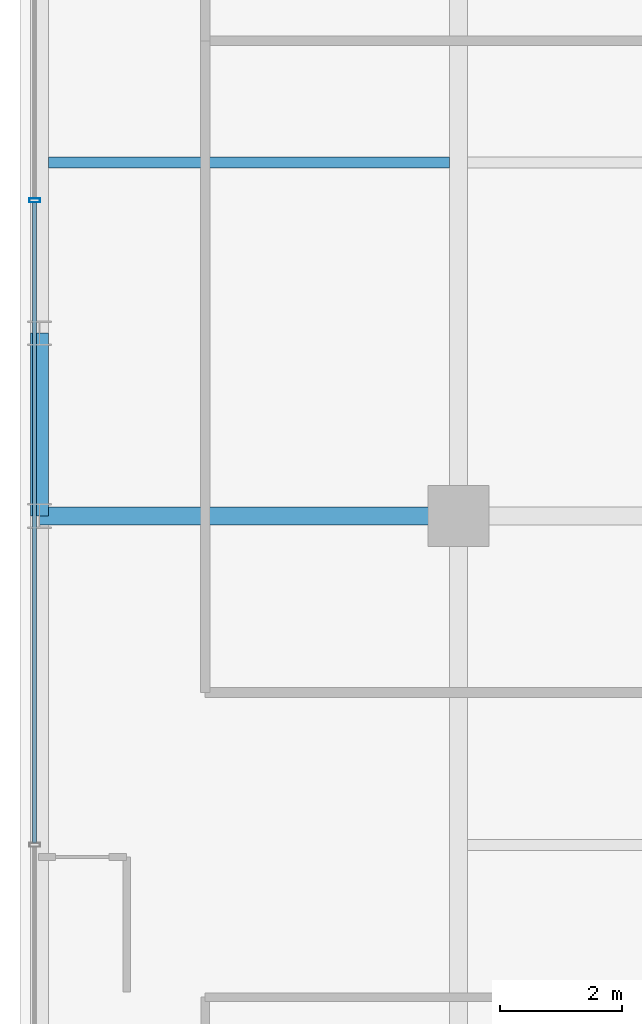
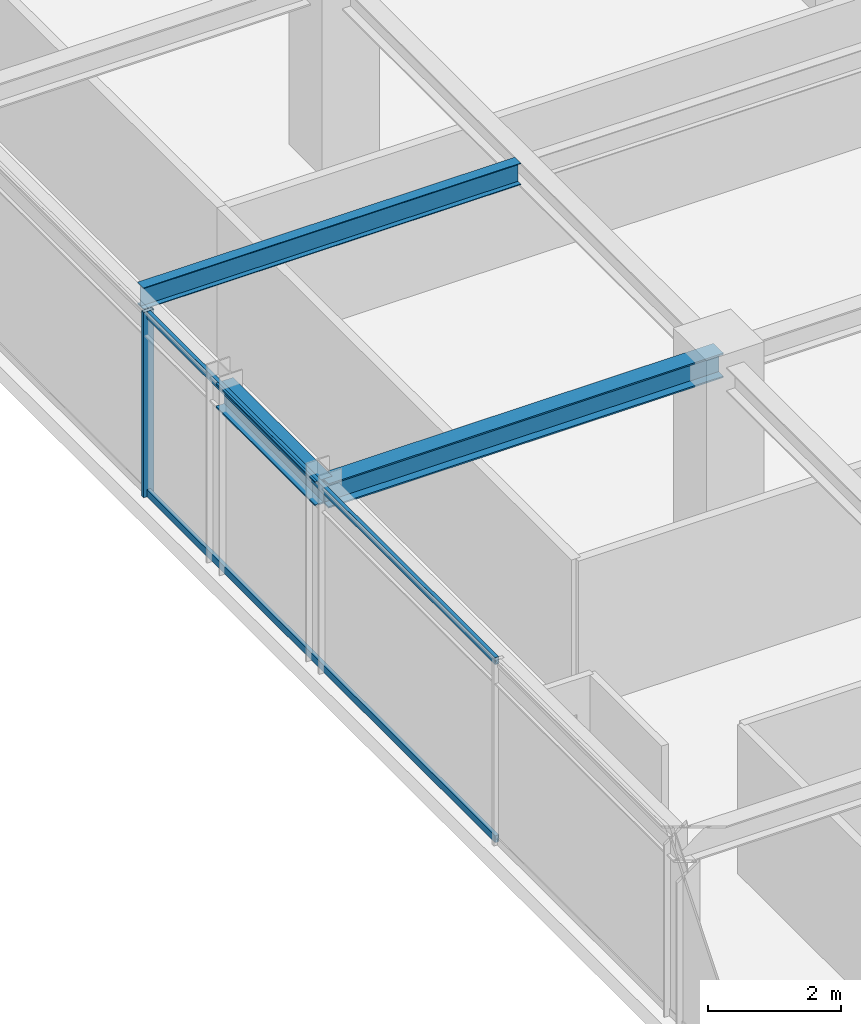
# One storey, part 18 of 36: 3 beams, 3 members, 1 element without a shape of its own.
"""IFC4 building model written with IfcOpenShell, lengths in metres."""

import ifcopenshell
import ifcopenshell.guid

model = None  # the IFC model being written
_history = None  # IfcOwnerHistory: only IFC2X3 demands one
_inside = {}  # id of a spatial element -> (the spatial element, [elements in it])
_under = {}  # id of a project, library or spatial element -> (it, [spatial elements below it])
_declared = {}  # id of a project -> (the project, [libraries it declares])
_typed = {}  # id of a type object -> (the type object, [elements of that type])
_made_of = {}  # id of a material, layer set ... -> (it, [elements and type objects made of it])


def new_model(schema):
    """Start an empty IFC model of exactly this schema.

    Asked for "IFC4X3", IfcOpenShell would pick the latest addendum, in which some entities
    have other attributes; the version numbers below select the first issue.
    IFC2X3 requires an IfcOwnerHistory on every rooted entity: one is made here for all.
    """
    global model, _history
    if schema == "IFC4X3":
        model = ifcopenshell.file(schema_version=(4, 3, 0, 0))
    else:
        model = ifcopenshell.file(schema=schema)
    _inside.clear()
    _under.clear()
    _declared.clear()
    _typed.clear()
    _made_of.clear()
    _history = None
    if model.schema == "IFC2X3":
        org = make("IfcOrganization", Name="unknown")
        user = make(
            "IfcPersonAndOrganization",
            ThePerson=make("IfcPerson", FamilyName="unknown"),
            TheOrganization=org,
        )
        app = make(
            "IfcApplication",
            ApplicationDeveloper=org,
            Version="unknown",
            ApplicationFullName="unknown",
            ApplicationIdentifier="unknown",
        )
        _history = make(
            "IfcOwnerHistory",
            OwningUser=user,
            OwningApplication=app,
            ChangeAction="ADDED",
            CreationDate=0,
        )
    return model


def make(cls, **values):
    """One entity of the class cls with the attributes given. An attribute that is None is left unset."""
    return model.create_entity(
        cls, **{name: value for name, value in values.items() if value is not None}
    )


def rooted(cls, **values):
    """An entity with a GlobalId (a new one), such as an element, a storey or a relation."""
    return make(cls, GlobalId=ifcopenshell.guid.new(), OwnerHistory=_history, **values)


def si_unit(unit_type, name, prefix=None):
    """IfcSIUnit, for example si_unit("LENGTHUNIT", "METRE", prefix="MILLI")."""
    return make("IfcSIUnit", UnitType=unit_type, Prefix=prefix, Name=name)


def assignment(units):
    """IfcUnitAssignment: the units of a project."""
    return None if units is None else make("IfcUnitAssignment", Units=units)


def point(xyz):
    """IfcCartesianPoint."""
    return None if xyz is None else make("IfcCartesianPoint", Coordinates=xyz)


def direction(xyz):
    """IfcDirection."""
    return None if xyz is None else make("IfcDirection", DirectionRatios=xyz)


def frame(location, z_axis=None, x_axis=None):
    """IfcAxis2Placement3D, a coordinate frame: its origin and axes. An axis left out is left unset."""
    return make(
        "IfcAxis2Placement3D",
        Location=point(location),
        Axis=direction(z_axis),
        RefDirection=direction(x_axis),
    )


def frame_2d(location, x_axis=None):
    """IfcAxis2Placement2D, a coordinate frame in the plane: its origin and x axis."""
    return make(
        "IfcAxis2Placement2D", Location=point(location), RefDirection=direction(x_axis)
    )


def origin():
    """The frame at (0, 0, 0) with its axes left unset."""
    return frame((0.0, 0.0, 0.0))


def origin_2d():
    """The frame at (0, 0) in the plane with its x axis left unset."""
    return frame_2d((0.0, 0.0))


def place(relative_to, where):
    """IfcLocalPlacement: puts the frame where relative to a parent placement (None: the world)."""
    return make(
        "IfcLocalPlacement", PlacementRelTo=relative_to, RelativePlacement=where
    )


def context(
    kind, dimensions, precision=None, world=None, true_north=None, identifier=None
):
    """IfcGeometricRepresentationContext, for example the 3D "Model" context."""
    return make(
        "IfcGeometricRepresentationContext",
        ContextIdentifier=identifier,
        ContextType=kind,
        CoordinateSpaceDimension=dimensions,
        Precision=precision,
        WorldCoordinateSystem=world,
        TrueNorth=true_north,
    )


def subcontext(parent, identifier, kind, view, scale=None):
    """IfcGeometricRepresentationSubContext, for example "Body" below "Model"."""
    return make(
        "IfcGeometricRepresentationSubContext",
        ContextIdentifier=identifier,
        ContextType=kind,
        ParentContext=parent,
        TargetScale=scale,
        TargetView=view,
    )


def project(units=None, contexts=None):
    """IfcProject with its units and contexts."""
    return rooted(
        "IfcProject",
        Name="project",
        RepresentationContexts=contexts,
        UnitsInContext=assignment(units),
    )


def spatial(cls, under=None, at=None, **own):
    """A site, building, storey or space (cls), placed at a placement, below another one or the project."""
    s = rooted(cls, ObjectPlacement=at, **own)
    if under is not None:
        _under.setdefault(under.id(), (under, []))[1].append(s)
    return s


def profile(cls, at=None, kind="AREA", **sizes):
    """A parametric profile (cls). Its sizes go by their IFC names, for example OverallWidth=200.0."""
    return make(cls, ProfileType=kind, Position=at, **sizes)


def hollow_rectangle(**sizes):
    """IfcRectangleHollowProfileDef."""
    return profile("IfcRectangleHollowProfileDef", **sizes)


def i_section(**sizes):
    """IfcIShapeProfileDef."""
    return profile("IfcIShapeProfileDef", **sizes)


def extrude(swept, where, along, depth):
    """IfcExtrudedAreaSolid: the profile swept, set in the frame where, extruded along a direction by depth."""
    return make(
        "IfcExtrudedAreaSolid",
        SweptArea=swept,
        Position=where,
        ExtrudedDirection=direction(along),
        Depth=depth,
    )


def shape(context_of_items, identifier, shape_type, items):
    """IfcShapeRepresentation: the items that make up one representation, for example the "Body"."""
    return make(
        "IfcShapeRepresentation",
        ContextOfItems=context_of_items,
        RepresentationIdentifier=identifier,
        RepresentationType=shape_type,
        Items=items,
    )


def source(mapping_origin, context_of_items, identifier, shape_type, items):
    """IfcRepresentationMap: a shape defined once, which mapped items show again and again."""
    return make(
        "IfcRepresentationMap",
        MappingOrigin=mapping_origin,
        MappedRepresentation=shape(context_of_items, identifier, shape_type, items),
    )


def transform(
    local_origin,
    x_axis=None,
    y_axis=None,
    z_axis=None,
    scale=None,
    scale2=None,
    scale3=None,
    uniform=True,
):
    """IfcCartesianTransformationOperator3D, or its non-uniform kind. x_axis, y_axis, z_axis: its Axis1, 2, 3."""
    if uniform:
        return make(
            "IfcCartesianTransformationOperator3D",
            Axis1=direction(x_axis),
            Axis2=direction(y_axis),
            LocalOrigin=point(local_origin),
            Scale=scale,
            Axis3=direction(z_axis),
        )
    return make(
        "IfcCartesianTransformationOperator3DnonUniform",
        Axis1=direction(x_axis),
        Axis2=direction(y_axis),
        LocalOrigin=point(local_origin),
        Scale=scale,
        Axis3=direction(z_axis),
        Scale2=scale2,
        Scale3=scale3,
    )


def mapped(mapping_source, mapping_target):
    """IfcMappedItem: shows the shape of a source again, moved by a transform."""
    return make(
        "IfcMappedItem", MappingSource=mapping_source, MappingTarget=mapping_target
    )


def material(Name=None, Category=None):
    """IfcMaterial."""
    return make("IfcMaterial", Name=Name, Category=Category)


def material_profile(
    of_material, cross_section, Name=None, Category=None, Priority=None
):
    """IfcMaterialProfile: a cross section and its material."""
    return make(
        "IfcMaterialProfile",
        Name=Name,
        Material=of_material,
        Profile=cross_section,
        Priority=Priority,
        Category=Category,
    )


def profile_set(profiles, Name=None, composite=None):
    """IfcMaterialProfileSet."""
    return make(
        "IfcMaterialProfileSet",
        Name=Name,
        MaterialProfiles=profiles,
        CompositeProfile=composite,
    )


def made_of(thing, what):
    """Note that an element or type object is made of a material, layer set ...; save() writes the relation."""
    if what is not None:
        _made_of.setdefault(what.id(), (what, []))[1].append(thing)
    return thing


def type_object(cls, material=None, **own):
    """A type object (cls), such as IfcWallType, which elements share."""
    return made_of(rooted(cls, **own), material)


def element(
    cls,
    number,
    at=None,
    inside=None,
    cuts=None,
    type_object=None,
    material=None,
    context=None,
    identifier="Body",
    shape_type=None,
    held_by="IfcProductDefinitionShape",
    body=None,
    shapes=None,
    **own,
):
    """One element of the class cls, such as IfcWall. Its Tag is "e" and its number.

    at: its placement. inside: the storey or other place that contains it. cuts: it is an
    opening in that element (IfcRelVoidsElement). A single representation is given by context,
    identifier, shape_type and body (its items); several are given by shapes. held_by: the class
    of the entity that holds the representations. save() writes the other relations.
    """
    e = rooted(cls, Tag="e%d" % number, ObjectPlacement=at, **own)
    if body is not None:
        shapes = [shape(context, identifier, shape_type, body)]
    if shapes is not None:
        e.Representation = make(held_by, Representations=shapes)
    if inside is not None:
        _inside.setdefault(inside.id(), (inside, []))[1].append(e)
    if cuts is not None:
        rooted(
            "IfcRelVoidsElement", RelatingBuildingElement=cuts, RelatedOpeningElement=e
        )
    if type_object is not None:
        _typed.setdefault(type_object.id(), (type_object, []))[1].append(e)
    return made_of(e, material)


def aggregate(whole, parts):
    """IfcRelAggregates: a whole, such as a stair, and the parts it consists of."""
    return rooted("IfcRelAggregates", RelatingObject=whole, RelatedObjects=parts)


def save(model, path):
    """Write the relations noted so far, then the file.

    IfcRelAggregates (storeys below a building ...), IfcRelContainedInSpatialStructure (elements
    in a storey), IfcRelDefinesByType, IfcRelAssociatesMaterial and IfcRelDeclares: one each for
    every whole, place, type object, material and project.
    """
    for whole, parts in _under.values():
        aggregate(whole, parts)
    for where, things in _inside.values():
        rooted(
            "IfcRelContainedInSpatialStructure",
            RelatedElements=things,
            RelatingStructure=where,
        )
    for kind, things in _typed.values():
        rooted("IfcRelDefinesByType", RelatedObjects=things, RelatingType=kind)
    for what, things in _made_of.values():
        rooted("IfcRelAssociatesMaterial", RelatedObjects=things, RelatingMaterial=what)
    for by, libraries in _declared.values():
        rooted("IfcRelDeclares", RelatingContext=by, RelatedDefinitions=libraries)
    model.write(path)


model = new_model("IFC4")

# Units and contexts
model_context = context("Model", 3, precision=1e-05, world=origin(), true_north=direction((0.0, 1.0)))
body_context = subcontext(model_context, "Body", "Model", "MODEL_VIEW")
ifc_project = project(units=[si_unit("LENGTHUNIT", "METRE"), si_unit("AREAUNIT", "SQUARE_METRE"), si_unit("VOLUMEUNIT", "CUBIC_METRE"), si_unit("PLANEANGLEUNIT", "RADIAN"), si_unit("MASSUNIT", "GRAM", prefix="KILO")], contexts=[model_context])

# Site, building, storey
site_placement = place(None, origin())
site = spatial("IfcSite", under=ifc_project, at=site_placement, CompositionType="ELEMENT")
building_placement = place(site_placement, origin())
building = spatial("IfcBuilding", under=site, at=building_placement, Name="Nahalor Promenade Grand Hotel", CompositionType="ELEMENT")
storey_placement = place(building_placement, frame((0.0, 0.0, 223.39990234375)))
storey = spatial("IfcBuildingStorey", under=building, at=storey_placement, Name="L57", CompositionType="ELEMENT", Elevation=223.39990234375)

# Beams
ifc_material_1 = material(Name="Steel S355JR", Category="steel")
ifc_material_profile_1 = material_profile(ifc_material_1, i_section(OverallWidth=0.3, OverallDepth=0.45, WebThickness=0.014, FlangeThickness=0.026, at=origin_2d()), Name="HEB 450")
ifc_profile_set_1 = profile_set([ifc_material_profile_1], Name="Steel S355JR")
beam_type_1 = type_object("IfcBeamType", Name="Beam-Spandrel-HEB450", PredefinedType="SPANDREL", material=ifc_profile_set_1)
shared_shape_1 = source(origin(), body_context, "Body", "SweptSolid", [
    extrude(i_section(OverallWidth=0.3, OverallDepth=0.45, WebThickness=0.014, FlangeThickness=0.026, at=origin_2d()), origin(), (0.0, 0.0, 1.0), 3.0),
])
beam_1_placement = place(storey_placement, frame((-23.8798828125, 5.39990234375, 3.18505859375), z_axis=(0.0, 1.0, 0.0), x_axis=(-1.0, 0.0, 0.0)))
element("IfcBeam", 1, at=beam_1_placement, inside=storey, type_object=beam_type_1, Name="BM-L57-SP-W-3", PredefinedType="SPANDREL", context=body_context, shape_type="MappedRepresentation", body=[
    mapped(shared_shape_1, transform((0.0, 0.0, 0.0), scale=1.0)),
])
ifc_material_profile_2 = material_profile(ifc_material_1, i_section(OverallWidth=0.3, OverallDepth=0.45, WebThickness=0.014, FlangeThickness=0.026, at=origin_2d()), Name="HEB 450")
ifc_profile_set_2 = profile_set([ifc_material_profile_2], Name="Steel S355JR")
beam_type_2 = type_object("IfcBeamType", Name="Beam-Girder-HEB450", PredefinedType="BEAM", material=ifc_profile_set_2)
shared_shape_2 = source(origin(), body_context, "Body", "SweptSolid", [
    extrude(i_section(OverallWidth=0.3, OverallDepth=0.45, WebThickness=0.014, FlangeThickness=0.026, at=origin_2d()), origin(), (0.0, 0.0, 1.0), 6.8798828125),
])
beam_2_placement = place(storey_placement, frame((-23.8798828125, 5.39990234375, 3.18505859375), z_axis=(1.0, 0.0, 0.0), x_axis=(0.0, 1.0, 0.0)))
element("IfcBeam", 2, at=beam_2_placement, inside=storey, type_object=beam_type_2, Name="BM-L57-GX-2-0", PredefinedType="BEAM", context=body_context, shape_type="MappedRepresentation", body=[
    mapped(shared_shape_2, transform((0.0, 0.0, 0.0), scale=1.0)),
])
ifc_material_profile_3 = material_profile(ifc_material_1, i_section(OverallWidth=0.18, OverallDepth=0.4, WebThickness=0.0086, FlangeThickness=0.0135, at=origin_2d()), Name="IPE 400")
ifc_profile_set_3 = profile_set([ifc_material_profile_3], Name="Steel S355JR")
beam_type_3 = type_object("IfcBeamType", Name="Beam-Joist-IPE400", PredefinedType="JOIST", material=ifc_profile_set_3)
shared_shape_3 = source(origin(), body_context, "Body", "SweptSolid", [
    extrude(i_section(OverallWidth=0.18, OverallDepth=0.4, WebThickness=0.0086, FlangeThickness=0.0135, at=origin_2d()), origin(), (0.0, 0.0, 1.0), 6.580078125),
])
beam_3_placement = place(storey_placement, frame((-23.72998046875, 11.199951171875, 3.210205078125), z_axis=(1.0, 0.0, 0.0), x_axis=(0.0, 1.0, 0.0)))
element("IfcBeam", 3, at=beam_3_placement, inside=storey, type_object=beam_type_3, Name="BM-L57-JSW-1-0", PredefinedType="JOIST", context=body_context, shape_type="MappedRepresentation", body=[
    mapped(shared_shape_3, transform((0.0, 0.0, 0.0), scale=1.0)),
])

# Curtain wall, members
ifc_material_2 = material(Name="Anodised Bronze Aluminium EN AW-6063 T6", Category="aluminium")
curtain_wall_type = type_object("IfcCurtainWallType", Name="CW2 Typical Hotel Flush Bronze Unitised Curtain Wall", PredefinedType="USERDEFINED", material=ifc_material_2)
curtain_wall_placement = place(storey_placement, origin())
curtain_wall = element("IfcCurtainWall", 4, at=curtain_wall_placement, inside=storey, type_object=curtain_wall_type, Name="L57 Curtain Wall CW-L57-W-1", ObjectType="UNITISED_CURTAIN_WALL", PredefinedType="USERDEFINED")
ifc_material_profile_4 = material_profile(ifc_material_2, hollow_rectangle(XDim=0.065, YDim=0.18, WallThickness=0.004, at=origin_2d()), Name="CWM 65x180x4")
ifc_profile_set_4 = profile_set([ifc_material_profile_4], Name="Anodised Bronze Aluminium EN AW-6063 T6")
member_type_1 = type_object("IfcMemberType", Name="CWM2 Typical Bronze Mullion 65x180", PredefinedType="MULLION", material=ifc_profile_set_4)
shared_shape_4 = source(origin(), body_context, "Body", "SweptSolid", [
    extrude(hollow_rectangle(XDim=0.065, YDim=0.18, WallThickness=0.004, at=origin_2d()), origin(), (0.0, 0.0, 1.0), 3.41015625),
])
member_1_placement = place(storey_placement, frame((-23.9599609375, 10.580078125, 0.0), z_axis=(0.0, 0.0, 1.0), x_axis=(0.0, 1.0, 0.0)))
member_1 = element("IfcMember", 5, at=member_1_placement, type_object=member_type_1, Name="CW-L57-W-1 Mullion 3", PredefinedType="MULLION", context=body_context, shape_type="MappedRepresentation", body=[
    mapped(shared_shape_4, transform((0.0, 0.0, 0.0), scale=1.0)),
])
ifc_material_profile_5 = material_profile(ifc_material_2, hollow_rectangle(XDim=0.065, YDim=0.13, WallThickness=0.004, at=origin_2d()), Name="CWT 65x130x4")
ifc_profile_set_5 = profile_set([ifc_material_profile_5], Name="Anodised Bronze Aluminium EN AW-6063 T6")
member_type_2 = type_object("IfcMemberType", Name="CWT2 Typical Bronze Transom 65x130", PredefinedType="USERDEFINED", material=ifc_profile_set_5)
shared_shape_5 = source(origin(), body_context, "Body", "SweptSolid", [
    extrude(hollow_rectangle(XDim=0.065, YDim=0.13, WallThickness=0.004, at=origin_2d()), origin(), (0.0, 0.0, 1.0), 10.51513671875),
])
member_2_placement = place(storey_placement, frame((-23.9599609375, 0.032470703125, 0.065185546875), z_axis=(0.0, 1.0, 0.0), x_axis=(-1.0, 0.0, 0.0)))
member_2 = element("IfcMember", 6, at=member_2_placement, type_object=member_type_2, Name="CW-L57-W-1 Transom 2-0", ObjectType="TRANSOM", PredefinedType="USERDEFINED", context=body_context, shape_type="MappedRepresentation", body=[
    mapped(shared_shape_5, transform((0.0, 0.0, 0.0), scale=1.0)),
])
member_3_placement = place(storey_placement, frame((-23.9599609375, 0.032470703125, 3.34521484375), z_axis=(0.0, 1.0, 0.0), x_axis=(-1.0, 0.0, 0.0)))
member_3 = element("IfcMember", 7, at=member_3_placement, type_object=member_type_2, Name="CW-L57-W-1 Transom 2-1", ObjectType="TRANSOM", PredefinedType="USERDEFINED", context=body_context, shape_type="MappedRepresentation", body=[
    mapped(shared_shape_5, transform((0.0, 0.0, 0.0), scale=1.0)),
])
aggregate(curtain_wall, [member_1, member_2, member_3])

save(model, "model.ifc")
